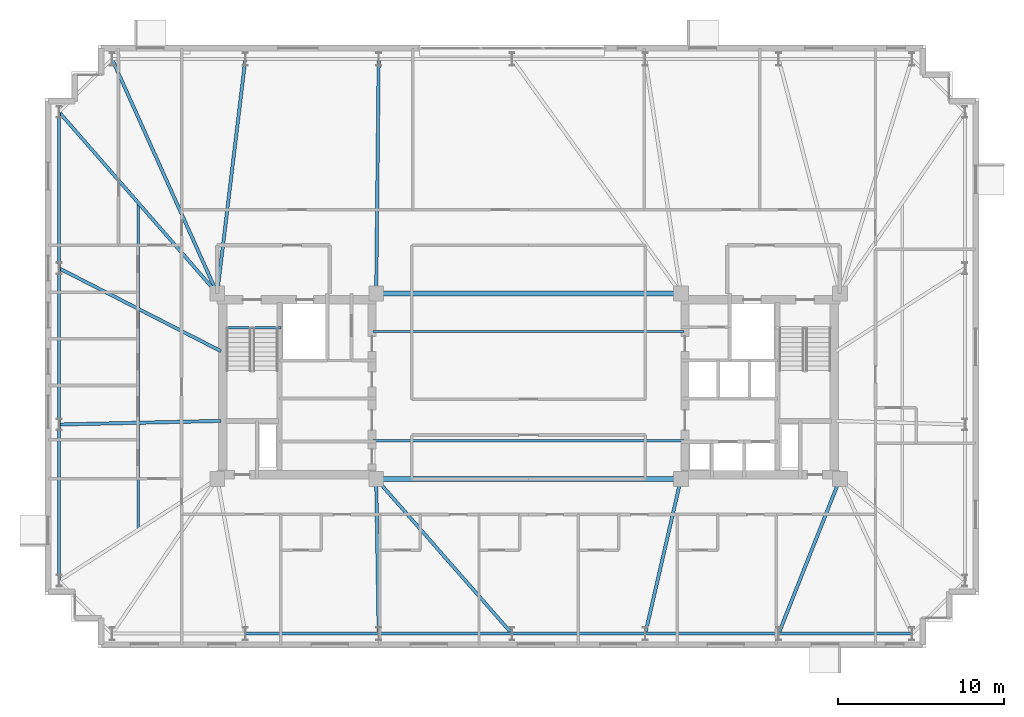
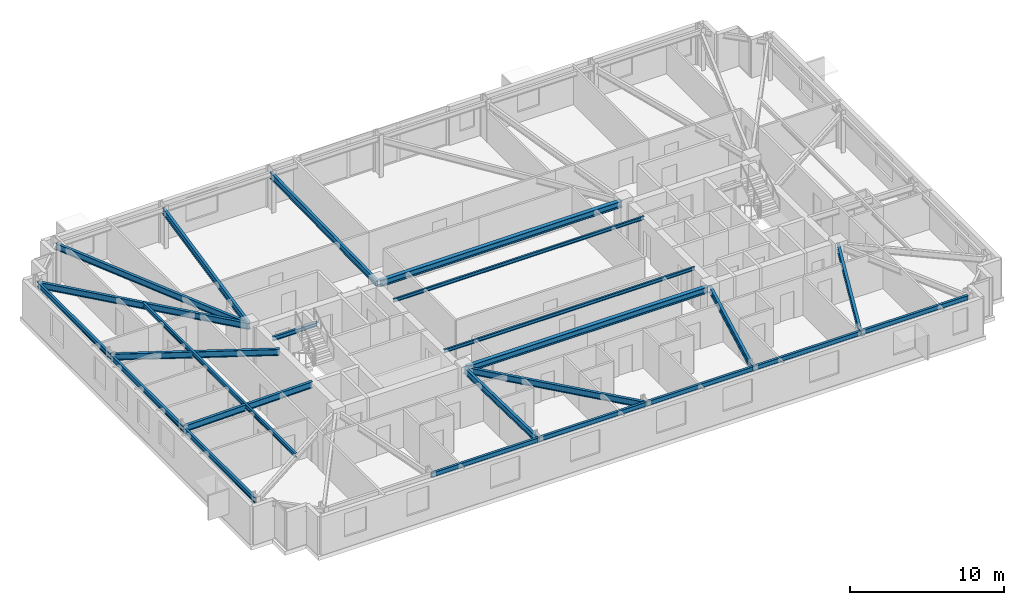
# One storey, part 4 of 18: 24 beams.
"""IFC4 building model written with IfcOpenShell, lengths in metres."""

import ifcopenshell
import ifcopenshell.guid

model = None  # the IFC model being written
_history = None  # IfcOwnerHistory: only IFC2X3 demands one
_inside = {}  # id of a spatial element -> (the spatial element, [elements in it])
_under = {}  # id of a project, library or spatial element -> (it, [spatial elements below it])
_declared = {}  # id of a project -> (the project, [libraries it declares])
_typed = {}  # id of a type object -> (the type object, [elements of that type])
_made_of = {}  # id of a material, layer set ... -> (it, [elements and type objects made of it])


def new_model(schema):
    """Start an empty IFC model of exactly this schema.

    Asked for "IFC4X3", IfcOpenShell would pick the latest addendum, in which some entities
    have other attributes; the version numbers below select the first issue.
    IFC2X3 requires an IfcOwnerHistory on every rooted entity: one is made here for all.
    """
    global model, _history
    if schema == "IFC4X3":
        model = ifcopenshell.file(schema_version=(4, 3, 0, 0))
    else:
        model = ifcopenshell.file(schema=schema)
    _inside.clear()
    _under.clear()
    _declared.clear()
    _typed.clear()
    _made_of.clear()
    _history = None
    if model.schema == "IFC2X3":
        org = make("IfcOrganization", Name="unknown")
        user = make(
            "IfcPersonAndOrganization",
            ThePerson=make("IfcPerson", FamilyName="unknown"),
            TheOrganization=org,
        )
        app = make(
            "IfcApplication",
            ApplicationDeveloper=org,
            Version="unknown",
            ApplicationFullName="unknown",
            ApplicationIdentifier="unknown",
        )
        _history = make(
            "IfcOwnerHistory",
            OwningUser=user,
            OwningApplication=app,
            ChangeAction="ADDED",
            CreationDate=0,
        )
    return model


def make(cls, **values):
    """One entity of the class cls with the attributes given. An attribute that is None is left unset."""
    return model.create_entity(
        cls, **{name: value for name, value in values.items() if value is not None}
    )


def rooted(cls, **values):
    """An entity with a GlobalId (a new one), such as an element, a storey or a relation."""
    return make(cls, GlobalId=ifcopenshell.guid.new(), OwnerHistory=_history, **values)


def si_unit(unit_type, name, prefix=None):
    """IfcSIUnit, for example si_unit("LENGTHUNIT", "METRE", prefix="MILLI")."""
    return make("IfcSIUnit", UnitType=unit_type, Prefix=prefix, Name=name)


def assignment(units):
    """IfcUnitAssignment: the units of a project."""
    return None if units is None else make("IfcUnitAssignment", Units=units)


def point(xyz):
    """IfcCartesianPoint."""
    return None if xyz is None else make("IfcCartesianPoint", Coordinates=xyz)


def direction(xyz):
    """IfcDirection."""
    return None if xyz is None else make("IfcDirection", DirectionRatios=xyz)


def frame(location, z_axis=None, x_axis=None):
    """IfcAxis2Placement3D, a coordinate frame: its origin and axes. An axis left out is left unset."""
    return make(
        "IfcAxis2Placement3D",
        Location=point(location),
        Axis=direction(z_axis),
        RefDirection=direction(x_axis),
    )


def frame_2d(location, x_axis=None):
    """IfcAxis2Placement2D, a coordinate frame in the plane: its origin and x axis."""
    return make(
        "IfcAxis2Placement2D", Location=point(location), RefDirection=direction(x_axis)
    )


def origin():
    """The frame at (0, 0, 0) with its axes left unset."""
    return frame((0.0, 0.0, 0.0))


def origin_2d():
    """The frame at (0, 0) in the plane with its x axis left unset."""
    return frame_2d((0.0, 0.0))


def place(relative_to, where):
    """IfcLocalPlacement: puts the frame where relative to a parent placement (None: the world)."""
    return make(
        "IfcLocalPlacement", PlacementRelTo=relative_to, RelativePlacement=where
    )


def context(
    kind, dimensions, precision=None, world=None, true_north=None, identifier=None
):
    """IfcGeometricRepresentationContext, for example the 3D "Model" context."""
    return make(
        "IfcGeometricRepresentationContext",
        ContextIdentifier=identifier,
        ContextType=kind,
        CoordinateSpaceDimension=dimensions,
        Precision=precision,
        WorldCoordinateSystem=world,
        TrueNorth=true_north,
    )


def subcontext(parent, identifier, kind, view, scale=None):
    """IfcGeometricRepresentationSubContext, for example "Body" below "Model"."""
    return make(
        "IfcGeometricRepresentationSubContext",
        ContextIdentifier=identifier,
        ContextType=kind,
        ParentContext=parent,
        TargetScale=scale,
        TargetView=view,
    )


def project(units=None, contexts=None):
    """IfcProject with its units and contexts."""
    return rooted(
        "IfcProject",
        Name="project",
        RepresentationContexts=contexts,
        UnitsInContext=assignment(units),
    )


def spatial(cls, under=None, at=None, **own):
    """A site, building, storey or space (cls), placed at a placement, below another one or the project."""
    s = rooted(cls, ObjectPlacement=at, **own)
    if under is not None:
        _under.setdefault(under.id(), (under, []))[1].append(s)
    return s


def profile(cls, at=None, kind="AREA", **sizes):
    """A parametric profile (cls). Its sizes go by their IFC names, for example OverallWidth=200.0."""
    return make(cls, ProfileType=kind, Position=at, **sizes)


def i_section(**sizes):
    """IfcIShapeProfileDef."""
    return profile("IfcIShapeProfileDef", **sizes)


def extrude(swept, where, along, depth):
    """IfcExtrudedAreaSolid: the profile swept, set in the frame where, extruded along a direction by depth."""
    return make(
        "IfcExtrudedAreaSolid",
        SweptArea=swept,
        Position=where,
        ExtrudedDirection=direction(along),
        Depth=depth,
    )


def shape(context_of_items, identifier, shape_type, items):
    """IfcShapeRepresentation: the items that make up one representation, for example the "Body"."""
    return make(
        "IfcShapeRepresentation",
        ContextOfItems=context_of_items,
        RepresentationIdentifier=identifier,
        RepresentationType=shape_type,
        Items=items,
    )


def material(Name=None, Category=None):
    """IfcMaterial."""
    return make("IfcMaterial", Name=Name, Category=Category)


def material_profile(
    of_material, cross_section, Name=None, Category=None, Priority=None
):
    """IfcMaterialProfile: a cross section and its material."""
    return make(
        "IfcMaterialProfile",
        Name=Name,
        Material=of_material,
        Profile=cross_section,
        Priority=Priority,
        Category=Category,
    )


def profile_set(profiles, Name=None, composite=None):
    """IfcMaterialProfileSet."""
    return make(
        "IfcMaterialProfileSet",
        Name=Name,
        MaterialProfiles=profiles,
        CompositeProfile=composite,
    )


def made_of(thing, what):
    """Note that an element or type object is made of a material, layer set ...; save() writes the relation."""
    if what is not None:
        _made_of.setdefault(what.id(), (what, []))[1].append(thing)
    return thing


def type_object(cls, material=None, **own):
    """A type object (cls), such as IfcWallType, which elements share."""
    return made_of(rooted(cls, **own), material)


def element(
    cls,
    number,
    at=None,
    inside=None,
    cuts=None,
    type_object=None,
    material=None,
    context=None,
    identifier="Body",
    shape_type=None,
    held_by="IfcProductDefinitionShape",
    body=None,
    shapes=None,
    **own,
):
    """One element of the class cls, such as IfcWall. Its Tag is "e" and its number.

    at: its placement. inside: the storey or other place that contains it. cuts: it is an
    opening in that element (IfcRelVoidsElement). A single representation is given by context,
    identifier, shape_type and body (its items); several are given by shapes. held_by: the class
    of the entity that holds the representations. save() writes the other relations.
    """
    e = rooted(cls, Tag="e%d" % number, ObjectPlacement=at, **own)
    if body is not None:
        shapes = [shape(context, identifier, shape_type, body)]
    if shapes is not None:
        e.Representation = make(held_by, Representations=shapes)
    if inside is not None:
        _inside.setdefault(inside.id(), (inside, []))[1].append(e)
    if cuts is not None:
        rooted(
            "IfcRelVoidsElement", RelatingBuildingElement=cuts, RelatedOpeningElement=e
        )
    if type_object is not None:
        _typed.setdefault(type_object.id(), (type_object, []))[1].append(e)
    return made_of(e, material)


def aggregate(whole, parts):
    """IfcRelAggregates: a whole, such as a stair, and the parts it consists of."""
    return rooted("IfcRelAggregates", RelatingObject=whole, RelatedObjects=parts)


def save(model, path):
    """Write the relations noted so far, then the file.

    IfcRelAggregates (storeys below a building ...), IfcRelContainedInSpatialStructure (elements
    in a storey), IfcRelDefinesByType, IfcRelAssociatesMaterial and IfcRelDeclares: one each for
    every whole, place, type object, material and project.
    """
    for whole, parts in _under.values():
        aggregate(whole, parts)
    for where, things in _inside.values():
        rooted(
            "IfcRelContainedInSpatialStructure",
            RelatedElements=things,
            RelatingStructure=where,
        )
    for kind, things in _typed.values():
        rooted("IfcRelDefinesByType", RelatedObjects=things, RelatingType=kind)
    for what, things in _made_of.values():
        rooted("IfcRelAssociatesMaterial", RelatedObjects=things, RelatingMaterial=what)
    for by, libraries in _declared.values():
        rooted("IfcRelDeclares", RelatingContext=by, RelatedDefinitions=libraries)
    model.write(path)


model = new_model("IFC4")

# Units and contexts
model_context = context("Model", 3, precision=1e-05, world=origin(), true_north=direction((0.0, 1.0)))
body_context = subcontext(model_context, "Body", "Model", "MODEL_VIEW")
ifc_project = project(units=[si_unit("LENGTHUNIT", "METRE"), si_unit("AREAUNIT", "SQUARE_METRE"), si_unit("VOLUMEUNIT", "CUBIC_METRE"), si_unit("PLANEANGLEUNIT", "RADIAN"), si_unit("MASSUNIT", "GRAM", prefix="KILO")], contexts=[model_context])

# Site, building, storey
site_placement = place(None, origin())
site = spatial("IfcSite", under=ifc_project, at=site_placement, CompositionType="ELEMENT")
building_placement = place(site_placement, origin())
building = spatial("IfcBuilding", under=site, at=building_placement, Name="Qobustan Lattice House", CompositionType="ELEMENT")
storey_placement = place(building_placement, frame((0.0, 0.0, 151.10009765625)))
storey = spatial("IfcBuildingStorey", under=building, at=storey_placement, Name="L42", CompositionType="ELEMENT", Elevation=151.10009765625)

# Beams
ifc_material_1 = material(Name="Steel S355", Category="steel")
ifc_material_profile_1 = material_profile(ifc_material_1, i_section(OverallWidth=0.300048828125, OverallDepth=0.5, WebThickness=0.014404296875, FlangeThickness=0.028076171875, FilletRadius=0.027099609375, at=origin_2d()), Name="HEB500")
ifc_profile_set_1 = profile_set([ifc_material_profile_1], Name="Steel S355")
beam_type_1 = type_object("IfcBeamType", Name="BM-CG-HEB500", PredefinedType="USERDEFINED", material=ifc_profile_set_1)
for number, where, z_axis, x_axis, name in (
    (1, (-9.050048828125, -5.60009765625, 2.789794921875), (1.0, 0.0, 0.0), (0.0, 1.0, 0.0), "L42 core spine girder CG-CS"),
    (2, (-9.050048828125, 5.60009765625, 2.789794921875), (1.0, 0.0, 0.0), (0.0, 1.0, 0.0), "L42 core spine girder CG-CN"),
):
    element("IfcBeam", number, at=place(storey_placement, frame(where, z_axis=z_axis, x_axis=x_axis)), inside=storey, type_object=beam_type_1, Name=name, ObjectType="GIRDER", PredefinedType="USERDEFINED", context=body_context, shape_type="SweptSolid", body=[
        extrude(i_section(OverallWidth=0.300048828125, OverallDepth=0.5, WebThickness=0.014404296875, FlangeThickness=0.028076171875, FilletRadius=0.027099609375, at=origin_2d()), origin(), (0.0, 0.0, 1.0), 18.10009765625),
    ])
ifc_material_2 = material(Name="Steel S355", Category="steel")
ifc_material_profile_2 = material_profile(ifc_material_2, i_section(OverallWidth=0.199951171875, OverallDepth=0.5, WebThickness=0.01025390625, FlangeThickness=0.01611328125, FilletRadius=0.02099609375, at=origin_2d()), Name="IPE500")
ifc_profile_set_2 = profile_set([ifc_material_profile_2], Name="Steel S355")
beam_type_2 = type_object("IfcBeamType", Name="BM-FLG-IPE500", PredefinedType="USERDEFINED", material=ifc_profile_set_2)
beam_1_placement = place(storey_placement, frame((-9.05029296875, -14.925048828125, 2.789794921875), z_axis=(-0.016063870849, 0.999870967702, 0.0), x_axis=(-0.999870967702, -0.016063870849, 0.0)))
element("IfcBeam", 3, at=beam_1_placement, inside=storey, type_object=beam_type_2, Name="L42 primary floor girder RAD-S3", ObjectType="GIRDER", PredefinedType="USERDEFINED", context=body_context, shape_type="SweptSolid", body=[
    extrude(i_section(OverallWidth=0.199951171875, OverallDepth=0.5, WebThickness=0.01025390625, FlangeThickness=0.01611328125, FilletRadius=0.02099609375, at=origin_2d()), origin(), (0.0, 0.0, 1.0), 9.30126953125),
])
beam_2_placement = place(storey_placement, frame((-1.0166015625, -14.93115234375, 2.789794921875), z_axis=(-0.659362380156, 0.751825279992, 0.0), x_axis=(-0.751825279992, -0.659362380156, 0.0)))
element("IfcBeam", 4, at=beam_2_placement, inside=storey, type_object=beam_type_2, Name="L42 primary floor girder RAD-S4", ObjectType="GIRDER", PredefinedType="USERDEFINED", context=body_context, shape_type="SweptSolid", body=[
    extrude(i_section(OverallWidth=0.199951171875, OverallDepth=0.5, WebThickness=0.01025390625, FlangeThickness=0.01611328125, FilletRadius=0.02099609375, at=origin_2d()), origin(), (0.0, 0.0, 1.0), 12.38623046875),
])
beam_3_placement = place(storey_placement, frame((7.0556640625, -14.925537109375, 2.789794921875), z_axis=(0.224091568854, 0.974568093449, 0.0), x_axis=(-0.974568093449, 0.224091568854, 0.0)))
element("IfcBeam", 5, at=beam_3_placement, inside=storey, type_object=beam_type_2, Name="L42 primary floor girder RAD-S5", ObjectType="GIRDER", PredefinedType="USERDEFINED", context=body_context, shape_type="SweptSolid", body=[
    extrude(i_section(OverallWidth=0.199951171875, OverallDepth=0.5, WebThickness=0.01025390625, FlangeThickness=0.01611328125, FilletRadius=0.02099609375, at=origin_2d()), origin(), (0.0, 0.0, 1.0), 9.543701171875),
])
beam_4_placement = place(storey_placement, frame((15.109130859375, -14.9267578125, 2.789794921875), z_axis=(0.367963628184, 0.929840184297, 0.0), x_axis=(-0.929840184297, 0.367963628184, 0.0)))
element("IfcBeam", 6, at=beam_4_placement, inside=storey, type_object=beam_type_2, Name="L42 primary floor girder RAD-S6", ObjectType="GIRDER", PredefinedType="USERDEFINED", context=body_context, shape_type="SweptSolid", body=[
    extrude(i_section(OverallWidth=0.199951171875, OverallDepth=0.5, WebThickness=0.01025390625, FlangeThickness=0.01611328125, FilletRadius=0.02099609375, at=origin_2d()), origin(), (0.0, 0.0, 1.0), 10.00537109375),
])
beam_5_placement = place(storey_placement, frame((-25.139892578125, 19.727294921875, 2.789794921875), z_axis=(0.409426782108, -0.912342978321, 0.0), x_axis=(0.912342978321, 0.409426782108, 0.0)))
element("IfcBeam", 7, at=beam_5_placement, inside=storey, type_object=beam_type_2, Name="L42 primary floor girder RAD-N7W", ObjectType="GIRDER", PredefinedType="USERDEFINED", context=body_context, shape_type="SweptSolid", body=[
    extrude(i_section(OverallWidth=0.199951171875, OverallDepth=0.5, WebThickness=0.01025390625, FlangeThickness=0.01611328125, FilletRadius=0.02099609375, at=origin_2d()), origin(), (0.0, 0.0, 1.0), 15.459716796875),
])
beam_6_placement = place(storey_placement, frame((-17.10302734375, 19.72509765625, 2.789794921875), z_axis=(-0.119287572963, -0.992859745854, 0.0), x_axis=(0.992859745854, -0.119287572963, 0.0)))
element("IfcBeam", 8, at=beam_6_placement, inside=storey, type_object=beam_type_2, Name="L42 primary floor girder RAD-N6", ObjectType="GIRDER", PredefinedType="USERDEFINED", context=body_context, shape_type="SweptSolid", body=[
    extrude(i_section(OverallWidth=0.199951171875, OverallDepth=0.5, WebThickness=0.01025390625, FlangeThickness=0.01611328125, FilletRadius=0.02099609375, at=origin_2d()), origin(), (0.0, 0.0, 1.0), 14.20166015625),
])
beam_7_placement = place(storey_placement, frame((-9.05029296875, 19.72509765625, 2.789794921875), z_axis=(-0.010596073732, -0.999943860035, 0.0), x_axis=(0.999943860035, -0.010596073732, 0.0)))
element("IfcBeam", 9, at=beam_7_placement, inside=storey, type_object=beam_type_2, Name="L42 primary floor girder RAD-N5", ObjectType="GIRDER", PredefinedType="USERDEFINED", context=body_context, shape_type="SweptSolid", body=[
    extrude(i_section(OverallWidth=0.199951171875, OverallDepth=0.5, WebThickness=0.01025390625, FlangeThickness=0.01611328125, FilletRadius=0.02099609375, at=origin_2d()), origin(), (0.0, 0.0, 1.0), 14.100830078125),
])
beam_8_placement = place(storey_placement, frame((-28.33349609375, 16.53125, 2.789794921875), z_axis=(0.657282573618, -0.75364422536, 0.0), x_axis=(0.75364422536, 0.657282573618, 0.0)))
element("IfcBeam", 10, at=beam_8_placement, inside=storey, type_object=beam_type_2, Name="L42 primary floor girder RAD-W1", ObjectType="GIRDER", PredefinedType="USERDEFINED", context=body_context, shape_type="SweptSolid", body=[
    extrude(i_section(OverallWidth=0.199951171875, OverallDepth=0.5, WebThickness=0.01025390625, FlangeThickness=0.01611328125, FilletRadius=0.02099609375, at=origin_2d()), origin(), (0.0, 0.0, 1.0), 14.4794921875),
])
beam_9_placement = place(storey_placement, frame((-28.32763671875, 7.105224609375, 2.789794921875), z_axis=(0.89014541584, -0.455676572426, 0.0), x_axis=(0.455676572426, 0.89014541584, 0.0)))
element("IfcBeam", 11, at=beam_9_placement, inside=storey, type_object=beam_type_2, Name="L42 primary floor girder RAD-W2", ObjectType="GIRDER", PredefinedType="USERDEFINED", context=body_context, shape_type="SweptSolid", body=[
    extrude(i_section(OverallWidth=0.199951171875, OverallDepth=0.5, WebThickness=0.01025390625, FlangeThickness=0.01611328125, FilletRadius=0.02099609375, at=origin_2d()), origin(), (0.0, 0.0, 1.0), 10.959228515625),
])
beam_10_placement = place(storey_placement, frame((-28.324951171875, -2.316162109375, 2.789794921875), z_axis=(0.999755655209, 0.022104974047, 0.0), x_axis=(-0.022104974047, 0.999755655209, 0.0)))
element("IfcBeam", 12, at=beam_10_placement, inside=storey, type_object=beam_type_2, Name="L42 primary floor girder RAD-W3", ObjectType="GIRDER", PredefinedType="USERDEFINED", context=body_context, shape_type="SweptSolid", body=[
    extrude(i_section(OverallWidth=0.199951171875, OverallDepth=0.5, WebThickness=0.01025390625, FlangeThickness=0.01611328125, FilletRadius=0.02099609375, at=origin_2d()), origin(), (0.0, 0.0, 1.0), 9.75244140625),
])
ifc_material_3 = material(Name="Steel S355", Category="steel")
ifc_material_profile_3 = material_profile(ifc_material_3, i_section(OverallWidth=0.135009765625, OverallDepth=0.27001953125, WebThickness=0.006591796875, FlangeThickness=0.01025390625, FilletRadius=0.014892578125, at=origin_2d()), Name="IPE270")
ifc_profile_set_3 = profile_set([ifc_material_profile_3], Name="Steel S355")
beam_type_3 = type_object("IfcBeamType", Name="BM-JST-IPE270", PredefinedType="JOIST", material=ifc_profile_set_3)
for number, where, z_axis, x_axis, name in (
    (13, (-9.39990234375, -3.300048828125, 2.90478515625), (1.0, 0.0, 0.0), (0.0, 1.0, 0.0), "L42 central span floor joist 1"),
    (14, (-9.39990234375, 3.300048828125, 2.90478515625), (1.0, 0.0, 0.0), (0.0, 1.0, 0.0), "L42 central span floor joist 2"),
):
    element("IfcBeam", number, at=place(storey_placement, frame(where, z_axis=z_axis, x_axis=x_axis)), inside=storey, type_object=beam_type_3, Name=name, PredefinedType="JOIST", context=body_context, shape_type="SweptSolid", body=[
        extrude(i_section(OverallWidth=0.135009765625, OverallDepth=0.27001953125, WebThickness=0.006591796875, FlangeThickness=0.01025390625, FilletRadius=0.014892578125, at=origin_2d()), origin(), (0.0, 0.0, 1.0), 18.7998046875),
    ])
ifc_material_4 = material(Name="Steel S355", Category="steel")
ifc_material_profile_4 = material_profile(ifc_material_4, i_section(OverallWidth=0.159912109375, OverallDepth=0.330078125, WebThickness=0.007568359375, FlangeThickness=0.011474609375, FilletRadius=0.01806640625, at=origin_2d()), Name="IPE330")
ifc_profile_set_4 = profile_set([ifc_material_profile_4], Name="Steel S355")
beam_type_4 = type_object("IfcBeamType", Name="BM-SEC-IPE330", PredefinedType="BEAM", material=ifc_profile_set_4)
beam_11_placement = place(storey_placement, frame((-23.574951171875, 11.074951171875, 2.875), z_axis=(0.0, -1.0, 0.0), x_axis=(1.0, 0.0, 0.0)))
element("IfcBeam", 15, at=beam_11_placement, inside=storey, type_object=beam_type_4, Name="L42 west wing secondary beam", PredefinedType="BEAM", context=body_context, shape_type="SweptSolid", body=[
    extrude(i_section(OverallWidth=0.159912109375, OverallDepth=0.330078125, WebThickness=0.007568359375, FlangeThickness=0.011474609375, FilletRadius=0.01806640625, at=origin_2d()), origin(), (0.0, 0.0, 1.0), 19.75),
])
ifc_material_5 = material(Name="Steel S355", Category="steel")
ifc_material_profile_5 = material_profile(ifc_material_5, i_section(OverallWidth=0.159912109375, OverallDepth=0.330078125, WebThickness=0.007568359375, FlangeThickness=0.011474609375, FilletRadius=0.01806640625, at=origin_2d()), Name="IPE330")
ifc_profile_set_5 = profile_set([ifc_material_profile_5], Name="Steel S355")
beam_type_5 = type_object("IfcBeamType", Name="BM-SPD-IPE330", PredefinedType="SPANDREL", material=ifc_profile_set_5)
beam_12_placement = place(storey_placement, frame((-18.300048828125, 3.52001953125, 2.875), z_axis=(1.0, 0.0, 0.0), x_axis=(0.0, 1.0, 0.0)))
element("IfcBeam", 16, at=beam_12_placement, inside=storey, type_object=beam_type_5, Name="L42 west stair landing trimmer beam", PredefinedType="SPANDREL", context=body_context, shape_type="SweptSolid", body=[
    extrude(i_section(OverallWidth=0.159912109375, OverallDepth=0.330078125, WebThickness=0.007568359375, FlangeThickness=0.011474609375, FilletRadius=0.01806640625, at=origin_2d()), origin(), (0.0, 0.0, 1.0), 3.35009765625),
])
ifc_material_6 = material(Name="Steel S355", Category="steel")
ifc_material_profile_6 = material_profile(ifc_material_6, i_section(OverallWidth=0.179931640625, OverallDepth=0.39990234375, WebThickness=0.008544921875, FlangeThickness=0.013427734375, FilletRadius=0.02099609375, at=origin_2d()), Name="IPE400")
ifc_profile_set_6 = profile_set([ifc_material_profile_6], Name="Steel S355")
beam_type_6 = type_object("IfcBeamType", Name="BM-SPD-IPE400", PredefinedType="SPANDREL", material=ifc_profile_set_6)
for number, where, z_axis, x_axis, name in (
    (17, (-17.074951171875, -14.949951171875, 2.83984375), (1.0, 0.0, 0.0), (0.0, 1.0, 0.0), "L42 perimeter spandrel S2-S3"),
    (18, (-9.02490234375, -14.949951171875, 2.83984375), (1.0, 0.0, 0.0), (0.0, 1.0, 0.0), "L42 perimeter spandrel S3-S4"),
    (19, (-0.97509765625, -14.949951171875, 2.83984375), (1.0, 0.0, 0.0), (0.0, 1.0, 0.0), "L42 perimeter spandrel S4-S5"),
    (20, (7.074951171875, -14.949951171875, 2.83984375), (1.0, 0.0, 0.0), (0.0, 1.0, 0.0), "L42 perimeter spandrel S5-S6"),
    (21, (15.125, -14.949951171875, 2.83984375), (1.0, 0.0, 0.0), (0.0, 1.0, 0.0), "L42 perimeter spandrel S6-S7"),
):
    element("IfcBeam", number, at=place(storey_placement, frame(where, z_axis=z_axis, x_axis=x_axis)), inside=storey, type_object=beam_type_6, Name=name, PredefinedType="SPANDREL", context=body_context, shape_type="SweptSolid", body=[
        extrude(i_section(OverallWidth=0.179931640625, OverallDepth=0.39990234375, WebThickness=0.008544921875, FlangeThickness=0.013427734375, FilletRadius=0.02099609375, at=origin_2d()), origin(), (0.0, 0.0, 1.0), 8.0),
    ])
beam_13_placement = place(storey_placement, frame((-28.35009765625, 16.52490234375, 2.83984375), z_axis=(0.0, -1.0, 0.0), x_axis=(1.0, 0.0, 0.0)))
element("IfcBeam", 22, at=beam_13_placement, inside=storey, type_object=beam_type_6, Name="L42 perimeter spandrel W1-W2", PredefinedType="SPANDREL", context=body_context, shape_type="SweptSolid", body=[
    extrude(i_section(OverallWidth=0.179931640625, OverallDepth=0.39990234375, WebThickness=0.008544921875, FlangeThickness=0.013427734375, FilletRadius=0.02099609375, at=origin_2d()), origin(), (0.0, 0.0, 1.0), 9.38330078125),
])
beam_14_placement = place(storey_placement, frame((-28.35009765625, 7.091796875, 2.83984375), z_axis=(0.0, -1.0, 0.0), x_axis=(1.0, 0.0, 0.0)))
element("IfcBeam", 23, at=beam_14_placement, inside=storey, type_object=beam_type_6, Name="L42 perimeter spandrel W2-W3", PredefinedType="SPANDREL", context=body_context, shape_type="SweptSolid", body=[
    extrude(i_section(OverallWidth=0.179931640625, OverallDepth=0.39990234375, WebThickness=0.008544921875, FlangeThickness=0.013427734375, FilletRadius=0.02099609375, at=origin_2d()), origin(), (0.0, 0.0, 1.0), 9.383544921875),
])
beam_15_placement = place(storey_placement, frame((-28.35009765625, -2.341796875, 2.83984375), z_axis=(0.0, -1.0, 0.0), x_axis=(1.0, 0.0, 0.0)))
element("IfcBeam", 24, at=beam_15_placement, inside=storey, type_object=beam_type_6, Name="L42 perimeter spandrel W3-W4", PredefinedType="SPANDREL", context=body_context, shape_type="SweptSolid", body=[
    extrude(i_section(OverallWidth=0.179931640625, OverallDepth=0.39990234375, WebThickness=0.008544921875, FlangeThickness=0.013427734375, FilletRadius=0.02099609375, at=origin_2d()), origin(), (0.0, 0.0, 1.0), 9.38330078125),
])

save(model, "model.ifc")
